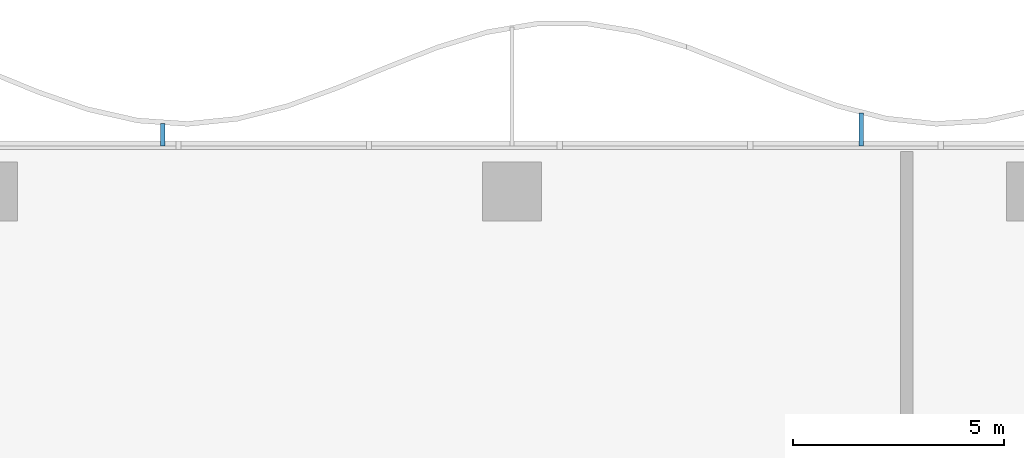
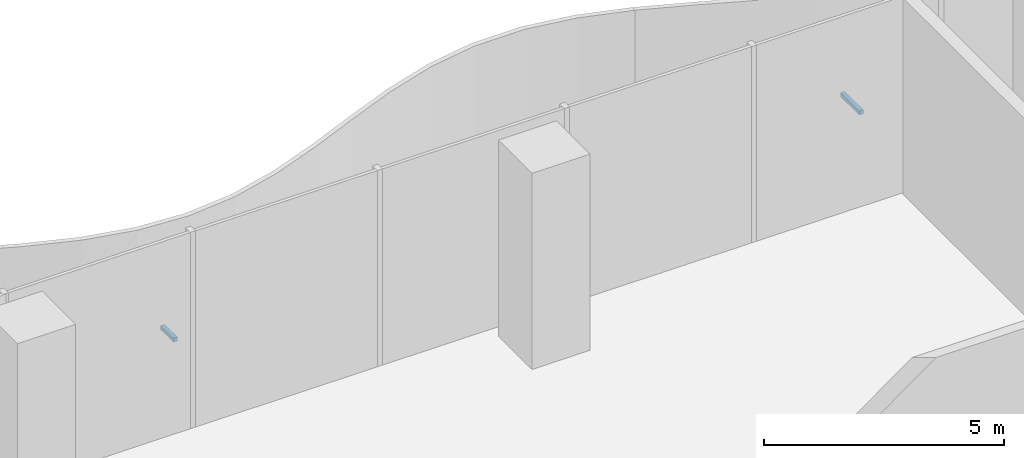
# One storey, part 13 of 20: 2 discrete accessories.
"""IFC4 building model written with IfcOpenShell, lengths in metres."""

from ifc_helpers import new_model, si_unit, direction, frame, origin, origin_2d, place, context, subcontext, project, spatial, rectangle, extrude, material, type_object, element, save


model = new_model("IFC4")

# Units and contexts
model_context = context("Model", 3, precision=1e-05, world=origin(), true_north=direction((0.0, 1.0)))
body_context = subcontext(model_context, "Body", "Model", "MODEL_VIEW")
ifc_project = project(units=[si_unit("LENGTHUNIT", "METRE"), si_unit("AREAUNIT", "SQUARE_METRE"), si_unit("VOLUMEUNIT", "CUBIC_METRE"), si_unit("PLANEANGLEUNIT", "RADIAN"), si_unit("MASSUNIT", "GRAM", prefix="KILO")], contexts=[model_context])

# Site, building, storey
site_placement = place(None, origin())
site = spatial("IfcSite", under=ifc_project, at=site_placement, CompositionType="ELEMENT")
building_placement = place(site_placement, origin())
building = spatial("IfcBuilding", under=site, at=building_placement, Name="Mopane Tessera Tower", CompositionType="ELEMENT")
storey_placement = place(building_placement, frame((0.0, 0.0, 14.5)))
storey = spatial("IfcBuildingStorey", under=building, at=storey_placement, Name="L02", CompositionType="ELEMENT", Elevation=14.5)

# Discrete accessories
ifc_material = material(Name="Stainless steel S316", Category="steel")
discrete_accessory_type = type_object("IfcDiscreteAccessoryType", Name="Louvre bracket 100 x 100", PredefinedType="BRACKET", material=ifc_material)
discrete_accessory_1_placement = place(storey_placement, frame((-4.13330078125, 27.471435546875, 2.280029296875), z_axis=(0.0, 0.0, 1.0), x_axis=(0.0, 1.0, 0.0)))
element("IfcDiscreteAccessory", 1, at=discrete_accessory_1_placement, inside=storey, type_object=discrete_accessory_type, Name="e:lv:L02:N:1:br1", PredefinedType="BRACKET", context=body_context, shape_type="SweptSolid", body=[
    extrude(rectangle(XDim=0.782958984375, YDim=0.10009765625, at=origin_2d()), origin(), (0.0, 0.0, 1.0), 0.10009765625),
])
discrete_accessory_2_placement = place(storey_placement, frame((-20.666748046875, 27.347900390625, 2.280029296875), z_axis=(0.0, 0.0, 1.0), x_axis=(0.0, 1.0, 0.0)))
element("IfcDiscreteAccessory", 2, at=discrete_accessory_2_placement, inside=storey, type_object=discrete_accessory_type, Name="e:lv:L02:N:2:br1", PredefinedType="BRACKET", context=body_context, shape_type="SweptSolid", body=[
    extrude(rectangle(XDim=0.535888671875, YDim=0.10009765625, at=origin_2d()), origin(), (0.0, 0.0, 1.0), 0.10009765625),
])

save(model, "model.ifc")
